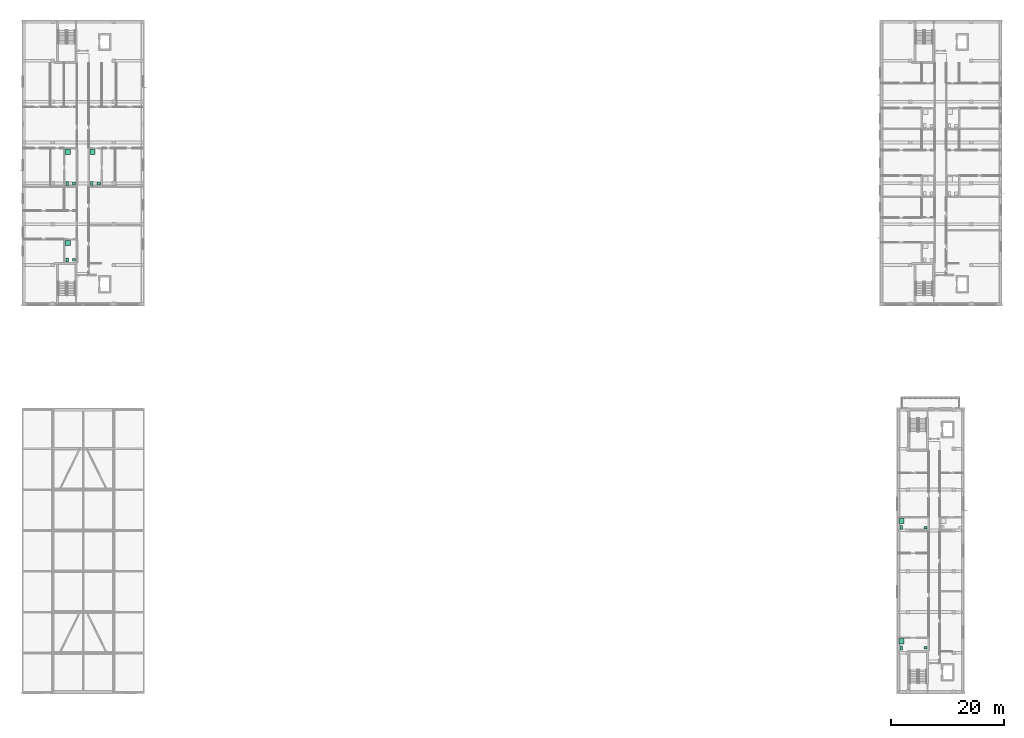
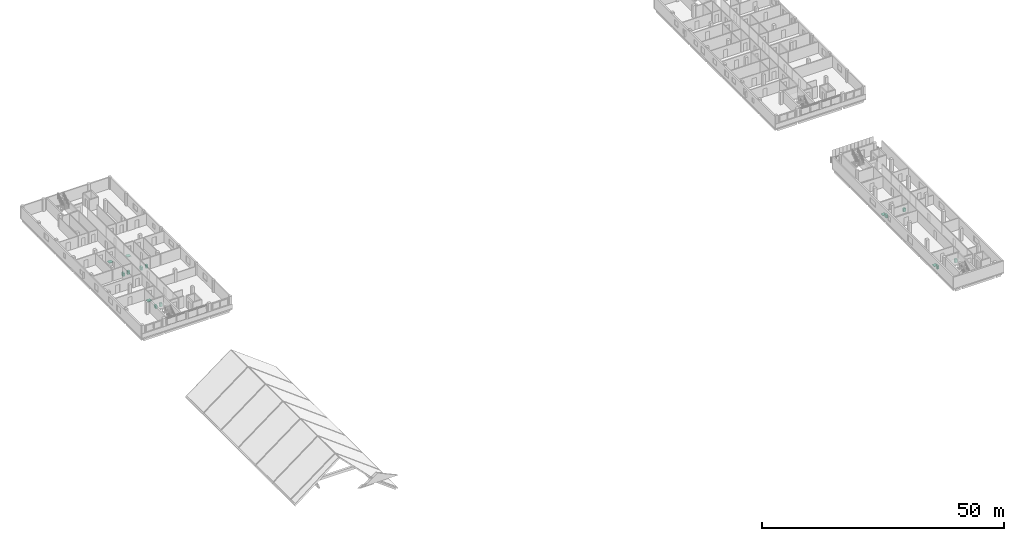
# One storey, part 34 of 35: 15 sanitary terminals.
"""IFC4 building model written with IfcOpenShell, lengths in metres."""

from ifc_helpers import new_model, si_unit, derived_unit, direction, frame, origin, origin_2d, place, context, subcontext, project, spatial, rectangle, extrude, material, type_object, element, save


model = new_model("IFC4")

# Units and contexts
model_context = context("Model", 3, precision=1e-05, world=origin(), true_north=direction((0.0, 1.0)))
body_context = subcontext(model_context, "Body", "Model", "MODEL_VIEW")
ifc_project = project(units=[si_unit("LENGTHUNIT", "METRE"), si_unit("AREAUNIT", "SQUARE_METRE"), si_unit("VOLUMEUNIT", "CUBIC_METRE"), si_unit("PLANEANGLEUNIT", "RADIAN"), si_unit("MASSUNIT", "GRAM", prefix="KILO"), derived_unit("THERMALTRANSMITTANCEUNIT", [(si_unit("MASSUNIT", "GRAM", prefix="KILO"), 1), (si_unit("TIMEUNIT", "SECOND"), -3), (si_unit("THERMODYNAMICTEMPERATUREUNIT", "KELVIN"), -1)])], contexts=[model_context])

# Site, building, storey
site_placement = place(None, origin())
site = spatial("IfcSite", under=ifc_project, at=site_placement, CompositionType="ELEMENT")
building_placement = place(site_placement, origin())
building = spatial("IfcBuilding", under=site, at=building_placement, Name="Ochrekiln Boulevard Commons", CompositionType="ELEMENT")
storey_placement = place(building_placement, frame((0.0, 0.0, 30.97509765625)))
storey = spatial("IfcBuildingStorey", under=building, at=storey_placement, Name="L09", CompositionType="ELEMENT", Elevation=30.97509765625)

# Sanitary terminals
ifc_material = material(Name="Vitreous china sanitaryware")
sanitary_terminal_type_1 = type_object("IfcSanitaryTerminalType", Name="SAN-BAS", PredefinedType="WASHHANDBASIN", material=ifc_material)
for number, where, z_axis, x_axis, name in (
    (1, (9.169921875, 76.5, 0.0), (0.0, 0.0, 1.0), (1.0, 0.0, 0.0), "L09 Washhand Basin Fixture"),
    (2, (9.169921875, 89.966064453125, 0.0), (0.0, 0.0, 1.0), (1.0, 0.0, 0.0), "L09 Washhand Basin Fixture"),
    (3, (13.530029296875, 89.966064453125, 0.0), (0.0, 0.0, 1.0), (1.0, 0.0, 0.0), "L09 Washhand Basin Fixture"),
    (4, (159.320068359375, 8.10009765625, 0.0), (0.0, 0.0, 1.0), (1.0, 0.0, 0.0), "L09 Washhand Basin Fixture"),
    (5, (159.320068359375, 29.31005859375, 0.0), (0.0, 0.0, 1.0), (1.0, 0.0, 0.0), "L09 Washhand Basin Fixture"),
):
    element("IfcSanitaryTerminal", number, at=place(storey_placement, frame(where, z_axis=z_axis, x_axis=x_axis)), inside=storey, type_object=sanitary_terminal_type_1, Name=name, PredefinedType="WASHHANDBASIN", context=body_context, shape_type="SweptSolid", body=[
        extrude(rectangle(XDim=0.550048828125, YDim=0.4599609375, at=origin_2d()), origin(), (0.0, 0.0, 1.0), 0.840087890625),
    ])
sanitary_terminal_type_2 = type_object("IfcSanitaryTerminalType", Name="SAN-SHW", PredefinedType="SHOWER", material=ifc_material)
for number, where, z_axis, x_axis, name in (
    (6, (8.070068359375, 79.489013671875, -0.000244140625), (0.0, 0.0, 1.0), (1.0, 0.0, 0.0), "L09 Shower Receptor"),
    (7, (8.070068359375, 95.573974609375, -0.000244140625), (0.0, 0.0, 1.0), (1.0, 0.0, 0.0), "L09 Shower Receptor"),
    (8, (12.429931640625, 95.573974609375, -0.000244140625), (0.0, 0.0, 1.0), (1.0, 0.0, 0.0), "L09 Shower Receptor"),
    (9, (155.10009765625, 9.27001953125, -0.000244140625), (0.0, 0.0, 1.0), (1.0, 0.0, 0.0), "L09 Shower Receptor"),
    (10, (155.10009765625, 30.47998046875, -0.000244140625), (0.0, 0.0, 1.0), (1.0, 0.0, 0.0), "L09 Shower Receptor"),
):
    element("IfcSanitaryTerminal", number, at=place(storey_placement, frame(where, z_axis=z_axis, x_axis=x_axis)), inside=storey, type_object=sanitary_terminal_type_2, Name=name, PredefinedType="SHOWER", context=body_context, shape_type="SweptSolid", body=[
        extrude(rectangle(XDim=0.89990234375, YDim=0.89990234375, at=origin_2d()), origin(), (0.0, 0.0, 1.0), 0.1201171875),
    ])
sanitary_terminal_type_3 = type_object("IfcSanitaryTerminalType", Name="SAN-WC", PredefinedType="TOILETPAN", material=ifc_material)
for number, where, z_axis, x_axis, name in (
    (11, (7.969970703125, 76.5, 0.0), (0.0, 0.0, 1.0), (1.0, 0.0, 0.0), "L09 Water Closet Fixture"),
    (12, (7.969970703125, 89.966064453125, 0.0), (0.0, 0.0, 1.0), (1.0, 0.0, 0.0), "L09 Water Closet Fixture"),
    (13, (12.330078125, 89.966064453125, 0.0), (0.0, 0.0, 1.0), (1.0, 0.0, 0.0), "L09 Water Closet Fixture"),
    (14, (155.0, 8.10009765625, 0.0), (0.0, 0.0, 1.0), (1.0, 0.0, 0.0), "L09 Water Closet Fixture"),
    (15, (155.0, 29.31005859375, 0.0), (0.0, 0.0, 1.0), (1.0, 0.0, 0.0), "L09 Water Closet Fixture"),
):
    element("IfcSanitaryTerminal", number, at=place(storey_placement, frame(where, z_axis=z_axis, x_axis=x_axis)), inside=storey, type_object=sanitary_terminal_type_3, Name=name, PredefinedType="TOILETPAN", context=body_context, shape_type="SweptSolid", body=[
        extrude(rectangle(XDim=0.419921875, YDim=0.679931640625, at=origin_2d()), origin(), (0.0, 0.0, 1.0), 0.780029296875),
    ])

save(model, "model.ifc")
